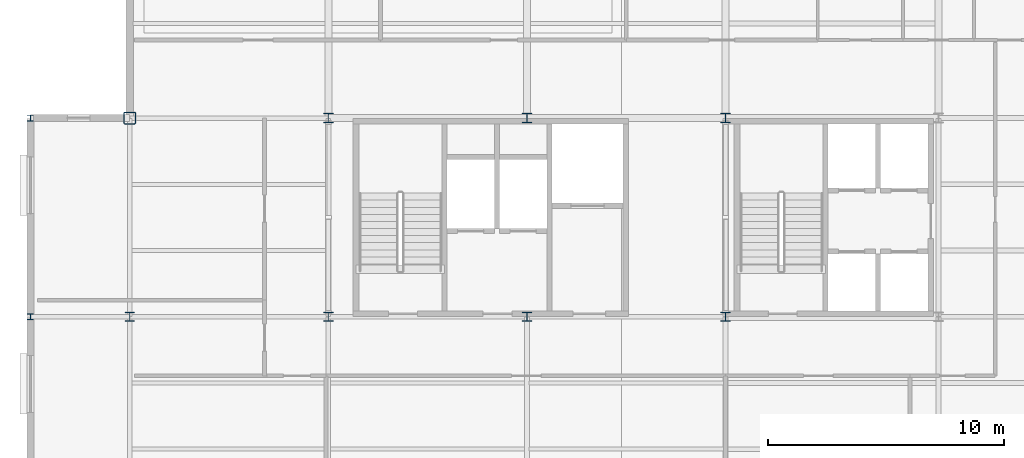
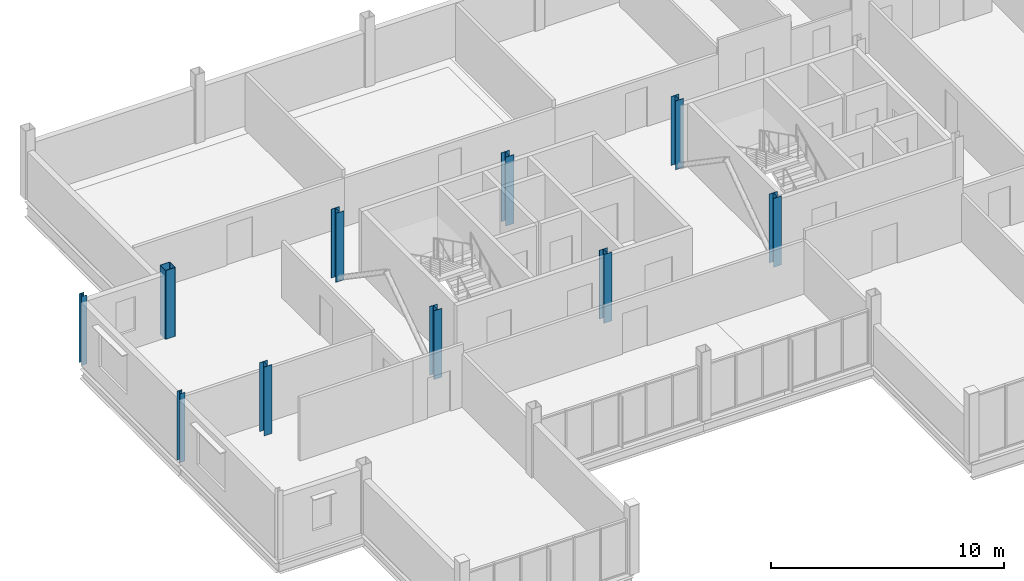
# One storey, part 2 of 19: 10 columns.
"""IFC4 building model written with IfcOpenShell, lengths in metres."""

from ifc_helpers import new_model, si_unit, direction, frame, origin, origin_2d, place, context, subcontext, project, spatial, hollow_rectangle, i_section, extrude, material, material_profile, profile_set, type_object, element, save


model = new_model("IFC4")

# Units and contexts
model_context = context("Model", 3, precision=1e-05, world=origin(), true_north=direction((0.0, 1.0)))
body_context = subcontext(model_context, "Body", "Model", "MODEL_VIEW")
ifc_project = project(units=[si_unit("LENGTHUNIT", "METRE"), si_unit("AREAUNIT", "SQUARE_METRE"), si_unit("VOLUMEUNIT", "CUBIC_METRE"), si_unit("PLANEANGLEUNIT", "RADIAN"), si_unit("MASSUNIT", "GRAM", prefix="KILO")], contexts=[model_context])

# Site, building, storey
site_placement = place(None, origin())
site = spatial("IfcSite", under=ifc_project, at=site_placement, CompositionType="ELEMENT")
building_placement = place(site_placement, origin())
building = spatial("IfcBuilding", under=site, at=building_placement, Name="Yukiwa Park Conservatory and Herbarium", CompositionType="ELEMENT")
storey_placement = place(building_placement, frame((0.0, 0.0, 31.800048828125)))
storey = spatial("IfcBuildingStorey", under=building, at=storey_placement, Name="L08", CompositionType="ELEMENT", Elevation=31.800048828125)

# Columns
ifc_material_1 = material(Name="Steel Q355D", Category="steel")
ifc_material_profile_1 = material_profile(ifc_material_1, i_section(OverallWidth=0.25, OverallDepth=0.25, WebThickness=0.009033203125, FlangeThickness=0.013916015625, FilletRadius=0.01611328125, at=origin_2d()), Name="HW 250x250x9x14")
ifc_profile_set_1 = profile_set([ifc_material_profile_1], Name="Steel Q355D")
column_type_1 = type_object("IfcColumnType", Name="COL-SB-HW250", PredefinedType="COLUMN", material=ifc_profile_set_1)
for number, where, z_axis, x_axis, name in (
    (1, (120.60009765625, 94.800048828125, 0.0), (0.0, 0.0, 1.0), (1.0, 0.0, 0.0), "L08 column V5SB1-X1206-Y948"),
    (2, (120.60009765625, 103.199951171875, 0.0), (0.0, 0.0, 1.0), (1.0, 0.0, 0.0), "L08 column V5SB1-X1206-Y1032"),
):
    element("IfcColumn", number, at=place(storey_placement, frame(where, z_axis=z_axis, x_axis=x_axis)), inside=storey, type_object=column_type_1, Name=name, PredefinedType="COLUMN", context=body_context, shape_type="SweptSolid", body=[
        extrude(i_section(OverallWidth=0.25, OverallDepth=0.25, WebThickness=0.009033203125, FlangeThickness=0.013916015625, FilletRadius=0.01611328125, at=origin_2d()), origin(), (0.0, 0.0, 1.0), 3.599853515625),
    ])
ifc_material_2 = material(Name="Steel Q355D", Category="steel")
ifc_material_profile_2 = material_profile(ifc_material_2, hollow_rectangle(XDim=0.5, YDim=0.5, WallThickness=0.02001953125, InnerFilletRadius=0.02001953125, OuterFilletRadius=0.0400390625, at=origin_2d()), Name="BOX 500x500x20")
ifc_profile_set_2 = profile_set([ifc_material_profile_2], Name="Steel Q355D")
column_type_2 = type_object("IfcColumnType", Name="COL-TW-BOX500-EXT", PredefinedType="COLUMN", material=ifc_profile_set_2)
column_placement = place(storey_placement, frame((124.800048828125, 103.199951171875, 0.0), z_axis=(0.0, 0.0, 1.0), x_axis=(1.0, 0.0, 0.0)))
element("IfcColumn", 3, at=column_placement, inside=storey, type_object=column_type_2, Name="L08 column V5-X1248-Y1032", PredefinedType="COLUMN", context=body_context, shape_type="SweptSolid", body=[
    extrude(hollow_rectangle(XDim=0.5, YDim=0.5, WallThickness=0.02001953125, InnerFilletRadius=0.02001953125, OuterFilletRadius=0.0400390625, at=origin_2d()), origin(), (0.0, 0.0, 1.0), 3.599853515625),
])
ifc_material_3 = material(Name="Steel Q355D", Category="steel")
ifc_material_profile_3 = material_profile(ifc_material_3, i_section(OverallWidth=0.39794921875, OverallDepth=0.39404296875, WebThickness=0.010986328125, FlangeThickness=0.01806640625, FilletRadius=0.02197265625, at=origin_2d()), Name="HW 394x398x11x18")
ifc_profile_set_3 = profile_set([ifc_material_profile_3], Name="Steel Q355D")
column_type_3 = type_object("IfcColumnType", Name="COL-TW-HW394", PredefinedType="COLUMN", material=ifc_profile_set_3)
for number, where, z_axis, x_axis, name in (
    (4, (124.800048828125, 94.800048828125, 0.0), (0.0, 0.0, 1.0), (1.0, 0.0, 0.0), "L08 column V5-X1248-Y948"),
    (5, (133.199951171875, 94.800048828125, 0.0), (0.0, 0.0, 1.0), (1.0, 0.0, 0.0), "L08 column V5-X1332-Y948"),
    (6, (133.199951171875, 103.199951171875, 0.0), (0.0, 0.0, 1.0), (1.0, 0.0, 0.0), "L08 column V5-X1332-Y1032"),
    (7, (141.60009765625, 94.800048828125, 0.0), (0.0, 0.0, 1.0), (1.0, 0.0, 0.0), "L08 column V5-X1416-Y948"),
    (8, (141.60009765625, 103.199951171875, 0.0), (0.0, 0.0, 1.0), (1.0, 0.0, 0.0), "L08 column V5-X1416-Y1032"),
    (9, (150.0, 94.800048828125, 0.0), (0.0, 0.0, 1.0), (1.0, 0.0, 0.0), "L08 column V5-X1500-Y948"),
    (10, (150.0, 103.199951171875, 0.0), (0.0, 0.0, 1.0), (1.0, 0.0, 0.0), "L08 column V5-X1500-Y1032"),
):
    element("IfcColumn", number, at=place(storey_placement, frame(where, z_axis=z_axis, x_axis=x_axis)), inside=storey, type_object=column_type_3, Name=name, PredefinedType="COLUMN", context=body_context, shape_type="SweptSolid", body=[
        extrude(i_section(OverallWidth=0.39794921875, OverallDepth=0.39404296875, WebThickness=0.010986328125, FlangeThickness=0.01806640625, FilletRadius=0.02197265625, at=origin_2d()), origin(), (0.0, 0.0, 1.0), 3.599853515625),
    ])

save(model, "model.ifc")
